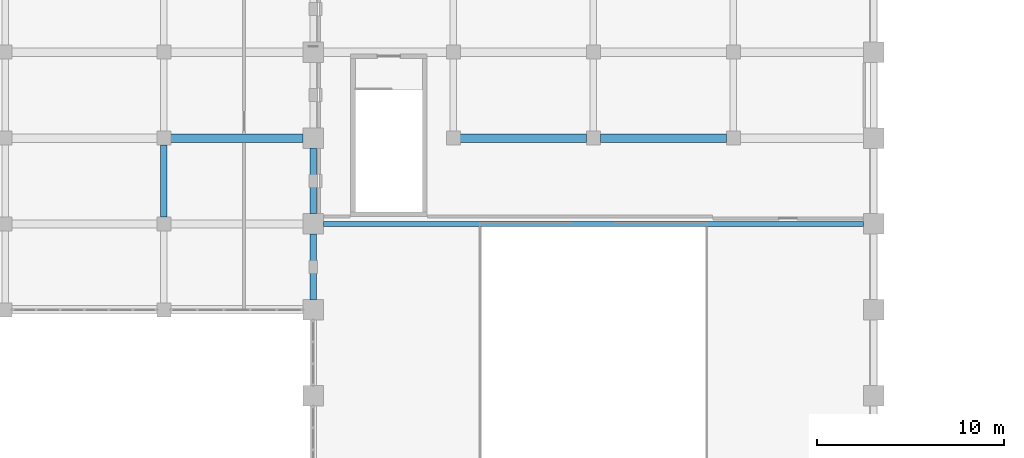
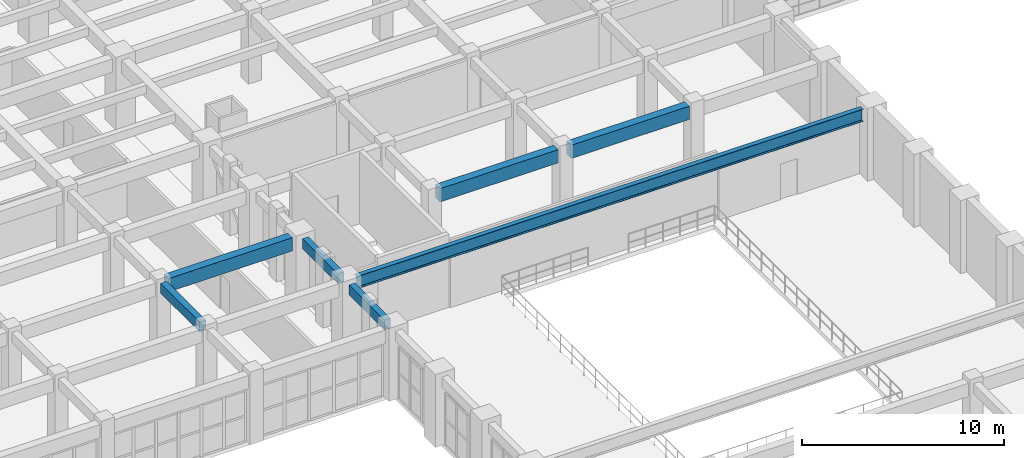
# One storey, part 18 of 90: 7 beams.
"""IFC4 building model written with IfcOpenShell, lengths in metres."""

from ifc_helpers import new_model, si_unit, direction, frame, origin, origin_2d, place, context, subcontext, project, spatial, rectangle, i_section, extrude, material, material_profile, profile_set, type_object, element, save


model = new_model("IFC4")

# Units and contexts
model_context = context("Model", 3, precision=1e-05, world=origin(), true_north=direction((0.0, 1.0)))
body_context = subcontext(model_context, "Body", "Model", "MODEL_VIEW")
ifc_project = project(units=[si_unit("LENGTHUNIT", "METRE"), si_unit("AREAUNIT", "SQUARE_METRE"), si_unit("VOLUMEUNIT", "CUBIC_METRE"), si_unit("PLANEANGLEUNIT", "RADIAN"), si_unit("MASSUNIT", "GRAM", prefix="KILO")], contexts=[model_context])

# Site, building, storey
site_placement = place(None, origin())
site = spatial("IfcSite", under=ifc_project, at=site_placement, CompositionType="ELEMENT")
building_placement = place(site_placement, origin())
building = spatial("IfcBuilding", under=site, at=building_placement, Name="Muzn Square Opera House", CompositionType="ELEMENT")
storey_placement = place(building_placement, frame((0.0, 0.0, 9.800048828125)))
storey = spatial("IfcBuildingStorey", under=building, at=storey_placement, Name="L02", CompositionType="ELEMENT", Elevation=9.800048828125)

# Beams
ifc_material_1 = material(Name="Steel S355", Category="steel")
ifc_material_profile_1 = material_profile(ifc_material_1, i_section(OverallWidth=0.264892578125, OverallDepth=0.7529296875, WebThickness=0.01318359375, FlangeThickness=0.01708984375, FilletRadius=0.01708984375, at=origin_2d()), Name="IPE 750x147", Category="steel")
ifc_profile_set_1 = profile_set([ifc_material_profile_1], Name="Steel S355")
beam_type_1 = type_object("IfcBeamType", Name="Long Span Foyer Beam IPE750", PredefinedType="BEAM", material=ifc_profile_set_1)
beam_1_placement = place(storey_placement, frame((43.5419921875, 58.800048828125, 3.743408203125), z_axis=(1.0, 0.0, 0.0), x_axis=(0.0, 1.0, 0.0)))
element("IfcBeam", 1, at=beam_1_placement, inside=storey, type_object=beam_type_1, Name="Primary Girder BM-L02-BM-LF750-435_588_725_588-2018", PredefinedType="BEAM", context=body_context, shape_type="SweptSolid", body=[
    extrude(i_section(OverallWidth=0.264892578125, OverallDepth=0.7529296875, WebThickness=0.01318359375, FlangeThickness=0.01708984375, FilletRadius=0.01708984375, at=origin_2d()), origin(), (0.0, 0.0, 1.0), 28.916015625),
])
ifc_material_2 = material(Name="Concrete C40/50", Category="concrete")
ifc_material_profile_2 = material_profile(ifc_material_2, rectangle(XDim=0.35009765625, YDim=0.60009765625, at=origin_2d()), Name="RCB 350x600", Category="concrete")
ifc_profile_set_2 = profile_set([ifc_material_profile_2], Name="Concrete C40/50")
beam_type_2 = type_object("IfcBeamType", Name="Primary Girder 350x600", PredefinedType="BEAM", material=ifc_profile_set_2)
beam_2_placement = place(storey_placement, frame((35.0, 59.1669921875, 3.820068359375), z_axis=(0.0, 1.0, 0.0), x_axis=(-1.0, 0.0, 0.0)))
element("IfcBeam", 2, at=beam_2_placement, inside=storey, type_object=beam_type_2, Name="Primary Girder BM-L02-BM-PG600-350_592_350_630-2146", PredefinedType="BEAM", context=body_context, shape_type="SweptSolid", body=[
    extrude(rectangle(XDim=0.35009765625, YDim=0.60009765625, at=origin_2d()), origin(), (0.0, 0.0, 1.0), 3.865966796875),
])
beam_3_placement = place(storey_placement, frame((43.0, 54.741943359375, 3.820068359375), z_axis=(0.0, 1.0, 0.0), x_axis=(-1.0, 0.0, 0.0)))
element("IfcBeam", 3, at=beam_3_placement, inside=storey, type_object=beam_type_2, Name="Primary Girder BM-L02-BM-PG600-430_547_430_583-2160", PredefinedType="BEAM", context=body_context, shape_type="SweptSolid", body=[
    extrude(rectangle(XDim=0.35009765625, YDim=0.60009765625, at=origin_2d()), origin(), (0.0, 0.0, 1.0), 3.51611328125),
])
beam_4_placement = place(storey_placement, frame((43.0, 59.342041015625, 3.820068359375), z_axis=(0.0, 1.0, 0.0), x_axis=(-1.0, 0.0, 0.0)))
element("IfcBeam", 4, at=beam_4_placement, inside=storey, type_object=beam_type_2, Name="Primary Girder BM-L02-BM-PG600-430_593_430_629-2161", PredefinedType="BEAM", context=body_context, shape_type="SweptSolid", body=[
    extrude(rectangle(XDim=0.35009765625, YDim=0.60009765625, at=origin_2d()), origin(), (0.0, 0.0, 1.0), 3.515869140625),
])
ifc_material_profile_3 = material_profile(ifc_material_2, rectangle(XDim=0.449951171875, YDim=0.800048828125, at=origin_2d()), Name="RCB 450x800", Category="concrete")
ifc_profile_set_3 = profile_set([ifc_material_profile_3], Name="Concrete C40/50")
beam_type_3 = type_object("IfcBeamType", Name="Primary Girder 450x800", PredefinedType="BEAM", material=ifc_profile_set_3)
beam_5_placement = place(storey_placement, frame((35.366943359375, 63.39990234375, 3.719970703125), z_axis=(1.0, 0.0, 0.0), x_axis=(0.0, 1.0, 0.0)))
element("IfcBeam", 5, at=beam_5_placement, inside=storey, type_object=beam_type_3, Name="Primary Girder BM-L02-BM-PG800-354_634_425_634-2025", PredefinedType="BEAM", context=body_context, shape_type="SweptSolid", body=[
    extrude(rectangle(XDim=0.449951171875, YDim=0.800048828125, at=origin_2d()), origin(), (0.0, 0.0, 1.0), 7.091064453125),
])
for number, where, z_axis, x_axis, name in (
    (6, (50.866943359375, 63.39990234375, 3.719970703125), (1.0, 0.0, 0.0), (0.0, 1.0, 0.0), "Primary Girder BM-L02-BM-PG800-509_634_576_634-2026"),
    (7, (58.366943359375, 63.39990234375, 3.719970703125), (1.0, 0.0, 0.0), (0.0, 1.0, 0.0), "Primary Girder BM-L02-BM-PG800-584_634_651_634-2027"),
):
    element("IfcBeam", number, at=place(storey_placement, frame(where, z_axis=z_axis, x_axis=x_axis)), inside=storey, type_object=beam_type_3, Name=name, PredefinedType="BEAM", context=body_context, shape_type="SweptSolid", body=[
        extrude(rectangle(XDim=0.449951171875, YDim=0.800048828125, at=origin_2d()), origin(), (0.0, 0.0, 1.0), 6.76611328125),
    ])

save(model, "model.ifc")
